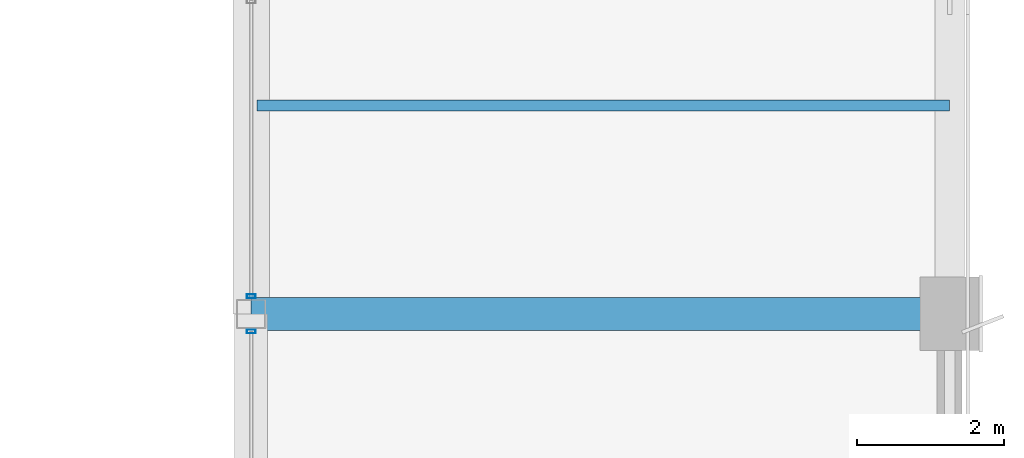
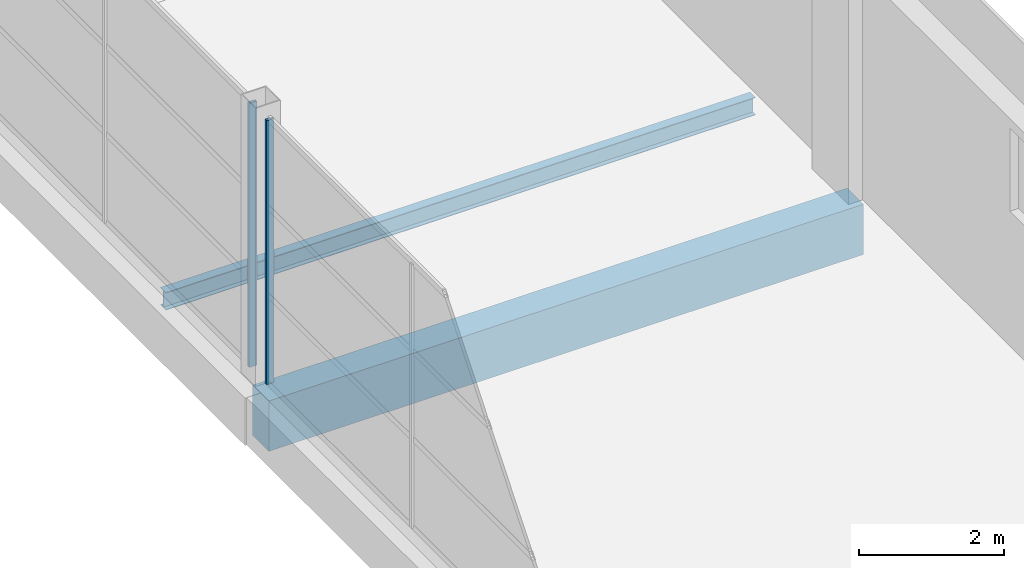
# One storey, part 76 of 112: 2 beams, 2 members, 2 elements without a shape of their own.
"""IFC4 building model written with IfcOpenShell, lengths in metres."""

from ifc_helpers import new_model, si_unit, direction, frame, origin, origin_2d, place, context, subcontext, project, spatial, rectangle, hollow_rectangle, i_section, extrude, material, material_profile, profile_set, type_object, element, aggregate, save


model = new_model("IFC4")

# Units and contexts
model_context = context("Model", 3, precision=1e-05, world=origin(), true_north=direction((0.0, 1.0)))
body_context = subcontext(model_context, "Body", "Model", "MODEL_VIEW")
ifc_project = project(units=[si_unit("LENGTHUNIT", "METRE"), si_unit("AREAUNIT", "SQUARE_METRE"), si_unit("VOLUMEUNIT", "CUBIC_METRE"), si_unit("PLANEANGLEUNIT", "RADIAN"), si_unit("MASSUNIT", "GRAM", prefix="KILO")], contexts=[model_context])

# Site, building, storey
site_placement = place(None, origin())
site = spatial("IfcSite", under=ifc_project, at=site_placement, CompositionType="ELEMENT")
building_placement = place(site_placement, origin())
building = spatial("IfcBuilding", under=site, at=building_placement, Name="Solvikara Media Centre", CompositionType="ELEMENT")
storey_placement = place(building_placement, frame((0.0, 0.0, 5.39990234375)))
storey = spatial("IfcBuildingStorey", under=building, at=storey_placement, Name="L01", CompositionType="ELEMENT", Elevation=5.39990234375)

# Beams
ifc_material_1 = material(Name="Concrete fc' 35 MPa (C35/45)", Category="concrete")
ifc_material_profile_1 = material_profile(ifc_material_1, rectangle(XDim=0.449951171875, YDim=0.85009765625, at=origin_2d()), Name="RC 450x850")
ifc_profile_set_1 = profile_set([ifc_material_profile_1], Name="Concrete fc' 35 MPa (C35/45)")
beam_type_1 = type_object("IfcBeamType", Name="BM-14", PredefinedType="SPANDREL", material=ifc_profile_set_1)
beam_1_placement = place(storey_placement, frame((154.5, 80.5, -0.724853515625), z_axis=(1.0, 0.0, 0.0), x_axis=(0.0, 1.0, 0.0)))
element("IfcBeam", 1, at=beam_1_placement, inside=storey, type_object=beam_type_1, Name="B-L01-X0512", PredefinedType="SPANDREL", context=body_context, shape_type="SweptSolid", body=[
    extrude(rectangle(XDim=0.449951171875, YDim=0.85009765625, at=origin_2d()), origin(), (0.0, 0.0, 1.0), 9.5),
])
ifc_material_2 = material(Name="Steel S355JR", Category="steel")
ifc_material_profile_2 = material_profile(ifc_material_2, i_section(OverallWidth=0.14990234375, OverallDepth=0.300048828125, WebThickness=0.006591796875, FlangeThickness=0.009033203125, at=origin_2d()), Name="WF 300x150x6.5x9")
ifc_profile_set_2 = profile_set([ifc_material_profile_2], Name="Steel S355JR")
beam_type_2 = type_object("IfcBeamType", Name="BM-23", PredefinedType="JOIST", material=ifc_profile_set_2)
beam_2_placement = place(storey_placement, frame((154.577880859375, 83.3330078125, -0.451904296875), z_axis=(1.0, 0.0, 0.0), x_axis=(0.0, 1.0, 0.0)))
element("IfcBeam", 2, at=beam_2_placement, inside=storey, type_object=beam_type_2, Name="J-L01-0811", PredefinedType="JOIST", context=body_context, shape_type="SweptSolid", body=[
    extrude(i_section(OverallWidth=0.14990234375, OverallDepth=0.300048828125, WebThickness=0.006591796875, FlangeThickness=0.009033203125, at=origin_2d()), origin(), (0.0, 0.0, 1.0), 9.422119140625),
])

# Curtain wall, member
ifc_material_3 = material(Name="Anodised aluminium EN AW-6063", Category="aluminium")
curtain_wall_type = type_object("IfcCurtainWallType", Name="CW-12", PredefinedType="NOTDEFINED", material=ifc_material_3)
curtain_wall_1_placement = place(storey_placement, origin())
curtain_wall_1 = element("IfcCurtainWall", 3, at=curtain_wall_1_placement, inside=storey, type_object=curtain_wall_type, Name="CW-L01-CRT-2-S1", PredefinedType="NOTDEFINED")
ifc_material_profile_3 = material_profile(ifc_material_3, hollow_rectangle(XDim=0.050048828125, YDim=0.1201171875, WallThickness=0.0029296875, at=origin_2d()), Name="ALU-M 50x120x3")
ifc_profile_set_3 = profile_set([ifc_material_profile_3], Name="Anodised aluminium EN AW-6063")
member_type = type_object("IfcMemberType", Name="MF-06", PredefinedType="MULLION", material=ifc_profile_set_3)
member_1_placement = place(storey_placement, frame((154.5, 80.260009765625, 0.02001953125), z_axis=(0.0, 0.0, 1.0), x_axis=(0.0, 1.0, 0.0)))
member_1 = element("IfcMember", 4, at=member_1_placement, type_object=member_type, Name="CW-L01-CRT-2-S1-M02", PredefinedType="MULLION", context=body_context, shape_type="SweptSolid", body=[
    extrude(hollow_rectangle(XDim=0.050048828125, YDim=0.1201171875, WallThickness=0.0029296875, at=origin_2d()), origin(), (0.0, 0.0, 1.0), 4.4599609375),
])
aggregate(curtain_wall_1, [member_1])

curtain_wall_2_placement = place(storey_placement, origin())
curtain_wall_2 = element("IfcCurtainWall", 5, at=curtain_wall_2_placement, inside=storey, type_object=curtain_wall_type, Name="CW-L01-CRT-2-S2", PredefinedType="NOTDEFINED")
member_2_placement = place(storey_placement, frame((154.5, 80.739990234375, 0.02001953125), z_axis=(0.0, 0.0, 1.0), x_axis=(0.0, 1.0, 0.0)))
member_2 = element("IfcMember", 6, at=member_2_placement, type_object=member_type, Name="CW-L01-CRT-2-S2-M00", PredefinedType="MULLION", context=body_context, shape_type="SweptSolid", body=[
    extrude(hollow_rectangle(XDim=0.050048828125, YDim=0.1201171875, WallThickness=0.0029296875, at=origin_2d()), origin(), (0.0, 0.0, 1.0), 4.4599609375),
])
aggregate(curtain_wall_2, [member_2])

save(model, "model.ifc")
